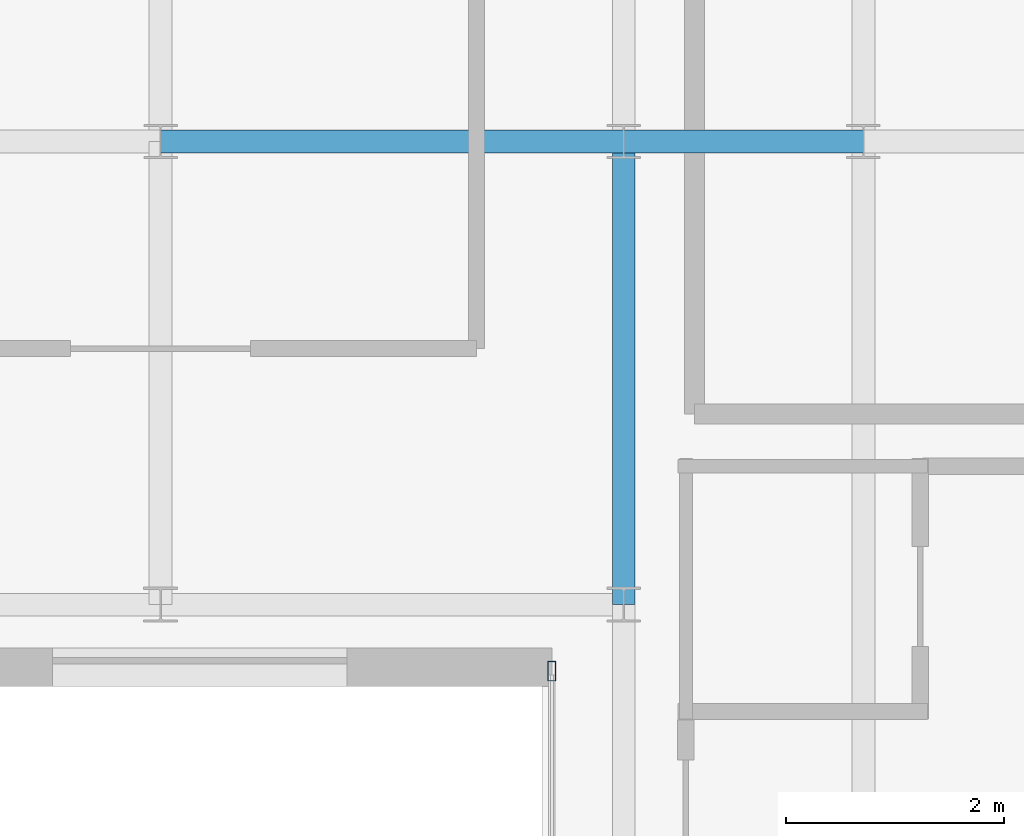
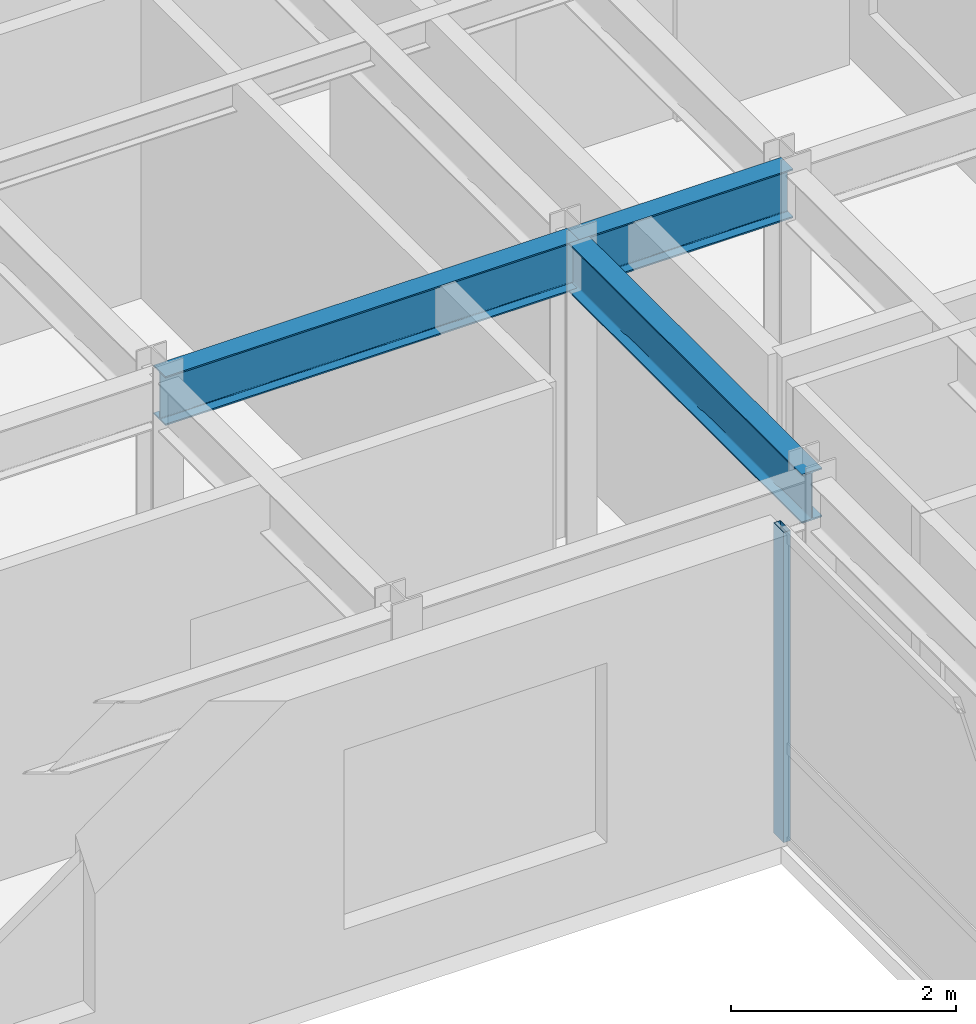
# One storey, part 11 of 18: 3 beams, 1 member, 1 element without a shape of its own.
"""IFC4 building model written with IfcOpenShell, lengths in metres."""

from ifc_helpers import new_model, si_unit, direction, frame, origin, origin_2d, place, context, subcontext, project, spatial, hollow_rectangle, i_section, extrude, source, transform, mapped, material, layer, layer_set, material_profile, profile_set, type_object, type_shapes, element, aggregate, save


model = new_model("IFC4")

# Units and contexts
model_context = context("Model", 3, precision=1e-05, world=origin(), true_north=direction((0.0, 1.0)))
body_context = subcontext(model_context, "Body", "Model", "MODEL_VIEW")
ifc_project = project(units=[si_unit("LENGTHUNIT", "METRE"), si_unit("AREAUNIT", "SQUARE_METRE"), si_unit("VOLUMEUNIT", "CUBIC_METRE"), si_unit("PLANEANGLEUNIT", "RADIAN"), si_unit("MASSUNIT", "GRAM", prefix="KILO")], contexts=[model_context])

# Site, building, storey
site_placement = place(None, origin())
site = spatial("IfcSite", under=ifc_project, at=site_placement, CompositionType="ELEMENT")
building_placement = place(site_placement, origin())
building = spatial("IfcBuilding", under=site, at=building_placement, Name="Tolvann Quenvar Hotel", CompositionType="ELEMENT")
storey_placement = place(building_placement, frame((0.0, 0.0, 252.300048828125)))
storey = spatial("IfcBuildingStorey", under=building, at=storey_placement, Name="L67", CompositionType="ELEMENT", Elevation=252.300048828125)

# Beams
ifc_material_1 = material(Name="Steel Grade 350", Category="steel")
ifc_material_profile_1 = material_profile(ifc_material_1, i_section(OverallWidth=0.208984375, OverallDepth=0.532958984375, WebThickness=0.01025390625, FlangeThickness=0.015625, FilletRadius=0.013916015625, at=origin_2d()), Name="530UB92")
ifc_profile_set_1 = profile_set([ifc_material_profile_1], Name="Steel Grade 350")
beam_type = type_object("IfcBeamType", Name="BM_GIRD_530UB92", PredefinedType="BEAM", material=ifc_profile_set_1)
shared_shape_1 = source(origin(), body_context, "Body", "SweptSolid", [
    extrude(i_section(OverallWidth=0.208984375, OverallDepth=0.532958984375, WebThickness=0.01025390625, FlangeThickness=0.015625, FilletRadius=0.013916015625, at=origin_2d()), origin(), (0.0, 0.0, 1.0), 2.199951171875),
])
beam_placement = place(storey_placement, frame((32.75, 24.39990234375, 3.103515625), z_axis=(1.0, 0.0, 0.0), x_axis=(0.0, 1.0, 0.0)))
element("IfcBeam", 1, at=beam_placement, inside=storey, type_object=beam_type, Name="BM-L67-EW-5-FP5-F5", PredefinedType="BEAM", context=body_context, shape_type="MappedRepresentation", body=[
    mapped(shared_shape_1, transform((0.0, 0.0, 0.0), x_axis=(1.0, 0.0, 0.0), y_axis=(0.0, 1.0, 0.0), z_axis=(0.0, 0.0, 1.0), scale=1.0)),
])
shared_shape_2 = source(origin(), body_context, "Body", "SweptSolid", [
    extrude(i_section(OverallWidth=0.208984375, OverallDepth=0.532958984375, WebThickness=0.01025390625, FlangeThickness=0.015625, FilletRadius=0.013916015625, at=origin_2d()), origin(), (0.0, 0.0, 1.0), 4.25),
])
type_shapes(beam_type, [shared_shape_1, shared_shape_2])
for number, where, z_axis, x_axis, name in (
    (2, (28.5, 24.39990234375, 3.103515625), (1.0, 0.0, 0.0), (0.0, 1.0, 0.0), "BM-L67-EW-5-M5-FP5"),
    (3, (32.75, 20.14990234375, 3.103515625), (0.0, 1.0, 0.0), (-1.0, 0.0, 0.0), "BM-L67-NS-FP4P-FP5"),
):
    element("IfcBeam", number, at=place(storey_placement, frame(where, z_axis=z_axis, x_axis=x_axis)), inside=storey, type_object=beam_type, Name=name, PredefinedType="BEAM", context=body_context, shape_type="MappedRepresentation", body=[
        mapped(shared_shape_2, transform((0.0, 0.0, 0.0), x_axis=(1.0, 0.0, 0.0), y_axis=(0.0, 1.0, 0.0), z_axis=(0.0, 0.0, 1.0), scale=1.0)),
    ])

# Curtain wall, member
ifc_material_2 = material(Name="Thermally broken anodised architectural aluminium 6063-T6 and laminated low-E glass", Category="aluminium")
ifc_layer = layer(ifc_material_2, 0.179931640625)
ifc_layer_set = layer_set([ifc_layer], Name="Thermally broken anodised architectural aluminium 6063-T6 and laminated low-E glass")
curtain_wall_type = type_object("IfcCurtainWallType", Name="CW_SYS_PORTAL_05", PredefinedType="USERDEFINED", material=ifc_layer_set)
curtain_wall_placement = place(storey_placement, origin())
curtain_wall = element("IfcCurtainWall", 4, at=curtain_wall_placement, inside=storey, type_object=curtain_wall_type, Name="Curtain Wall CW-PORTAL-05 (CWR-L67-E07)", ObjectType="UNITISED CURTAIN WALL", PredefinedType="USERDEFINED")
ifc_material_3 = material(Name="Anodised architectural aluminium 6063-T6 framing", Category="aluminium")
ifc_material_profile_2 = material_profile(ifc_material_3, hollow_rectangle(XDim=0.070068359375, YDim=0.179931640625, WallThickness=0.00390625, at=origin_2d()), Name="180x70x4RHS")
ifc_profile_set_2 = profile_set([ifc_material_profile_2], Name="Anodised architectural aluminium 6063-T6 framing")
member_type = type_object("IfcMemberType", Name="CW_MULL_180x70", PredefinedType="MULLION", material=ifc_profile_set_2)
shared_shape_3 = source(origin(), body_context, "Body", "SweptSolid", [
    extrude(hollow_rectangle(XDim=0.070068359375, YDim=0.179931640625, WallThickness=0.00390625, at=origin_2d()), origin(), (0.0, 0.0, 1.0), 3.369873046875),
])
type_shapes(member_type, [shared_shape_3])
member_placement = place(storey_placement, frame((32.090087890625, 19.5400390625, 0.0), z_axis=(0.0, 0.0, 1.0), x_axis=(1.0, 0.0, 0.0)))
member = element("IfcMember", 5, at=member_placement, type_object=member_type, Name="CW-PORTAL-05 mullion 1", PredefinedType="MULLION", context=body_context, shape_type="MappedRepresentation", body=[
    mapped(shared_shape_3, transform((0.0, 0.0, 0.0), x_axis=(1.0, 0.0, 0.0), y_axis=(0.0, 1.0, 0.0), z_axis=(0.0, 0.0, 1.0), scale=1.0)),
])
aggregate(curtain_wall, [member])

save(model, "model.ifc")
